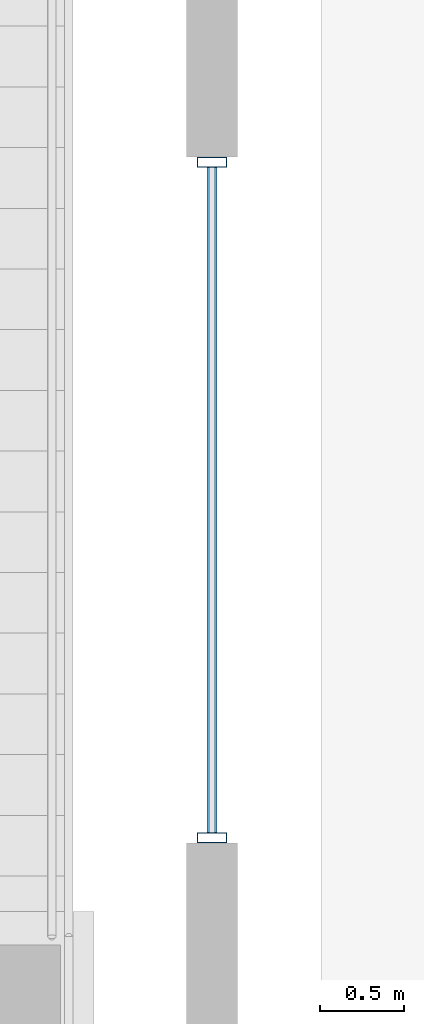
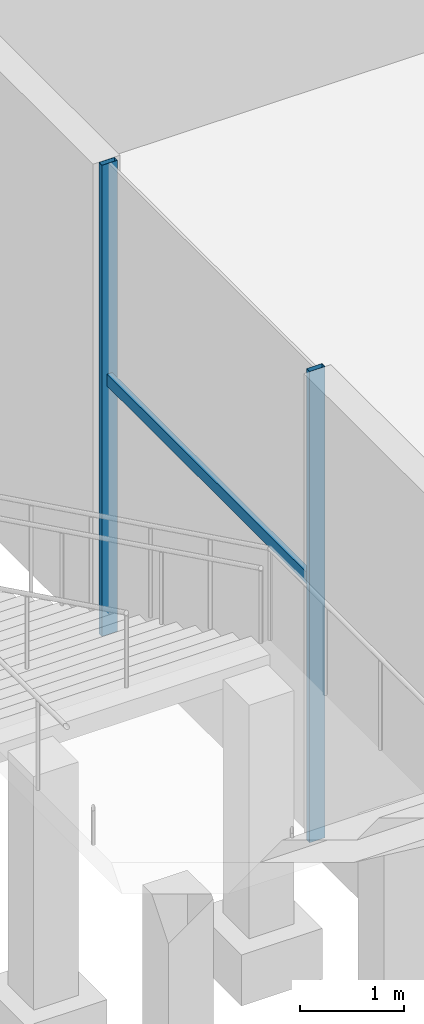
# One storey, part 7 of 68: 3 members, 1 element without a shape of its own.
"""IFC4 building model written with IfcOpenShell, lengths in metres."""

from ifc_helpers import new_model, si_unit, direction, frame, origin, origin_2d, place, context, subcontext, project, spatial, hollow_rectangle, extrude, material, material_profile, profile_set, type_object, element, aggregate, save


model = new_model("IFC4")

# Units and contexts
model_context = context("Model", 3, precision=1e-05, world=origin(), true_north=direction((0.0, 1.0)))
body_context = subcontext(model_context, "Body", "Model", "MODEL_VIEW")
ifc_project = project(units=[si_unit("LENGTHUNIT", "METRE"), si_unit("AREAUNIT", "SQUARE_METRE"), si_unit("VOLUMEUNIT", "CUBIC_METRE"), si_unit("PLANEANGLEUNIT", "RADIAN"), si_unit("MASSUNIT", "GRAM", prefix="KILO")], contexts=[model_context])

# Site, building, storey
site_placement = place(None, origin())
site = spatial("IfcSite", under=ifc_project, at=site_placement, CompositionType="ELEMENT")
building_placement = place(site_placement, origin())
building = spatial("IfcBuilding", under=site, at=building_placement, Name="Altepetl Exchange Towers", CompositionType="ELEMENT")
storey_placement = place(building_placement, origin())
storey = spatial("IfcBuildingStorey", under=building, at=storey_placement, Name="L00 Ground concourse", CompositionType="ELEMENT", Elevation=0.0)

# Curtain wall, members
ifc_material_1 = material(Name="Aluminium 6063-T6 glazing", Category="aluminium")
curtain_wall_type = type_object("IfcCurtainWallType", Name="Podium storefront system", PredefinedType="NOTDEFINED", material=ifc_material_1)
curtain_wall_placement = place(storey_placement, origin())
curtain_wall = element("IfcCurtainWall", 1, at=curtain_wall_placement, inside=storey, type_object=curtain_wall_type, Name="CW5 run", PredefinedType="NOTDEFINED")
ifc_material_2 = material(Name="Aluminium 6063-T6", Category="aluminium")
ifc_material_profile_1 = material_profile(ifc_material_2, hollow_rectangle(XDim=0.06005859375, YDim=0.175048828125, WallThickness=0.0029296875, at=origin_2d()), Name="Mullion 60x175 aluminium")
ifc_profile_set_1 = profile_set([ifc_material_profile_1], Name="Aluminium 6063-T6")
member_type_1 = type_object("IfcMemberType", Name="Mullion 60x175 aluminium", PredefinedType="MULLION", material=ifc_profile_set_1)
member_1_placement = place(storey_placement, frame((0.14990234375, 17.75341796875, 0.0), z_axis=(0.0, 0.0, 1.0), x_axis=(0.0, -1.0, 0.0)))
member_1 = element("IfcMember", 2, at=member_1_placement, type_object=member_type_1, Name="MU4 mullion", PredefinedType="MULLION", context=body_context, shape_type="SweptSolid", body=[
    extrude(hollow_rectangle(XDim=0.06005859375, YDim=0.175048828125, WallThickness=0.0029296875, at=origin_2d()), origin(), (0.0, 0.0, 1.0), 5.550048828125),
])
member_2_placement = place(storey_placement, frame((0.14990234375, 13.74658203125, 0.0), z_axis=(0.0, 0.0, 1.0), x_axis=(0.0, -1.0, 0.0)))
member_2 = element("IfcMember", 3, at=member_2_placement, type_object=member_type_1, Name="MU4 mullion", PredefinedType="MULLION", context=body_context, shape_type="SweptSolid", body=[
    extrude(hollow_rectangle(XDim=0.06005859375, YDim=0.175048828125, WallThickness=0.0029296875, at=origin_2d()), origin(), (0.0, 0.0, 1.0), 5.550048828125),
])
ifc_material_profile_2 = material_profile(ifc_material_2, hollow_rectangle(XDim=0.06005859375, YDim=0.139892578125, WallThickness=0.0029296875, at=origin_2d()), Name="Transom 60x140 aluminium")
ifc_profile_set_2 = profile_set([ifc_material_profile_2], Name="Aluminium 6063-T6")
member_type_2 = type_object("IfcMemberType", Name="Transom 60x140 aluminium", PredefinedType="USERDEFINED", material=ifc_profile_set_2)
member_3_placement = place(storey_placement, frame((0.14990234375, 17.723388671875, 3.0), z_axis=(0.0, -1.0, 0.0), x_axis=(1.0, 0.0, 0.0)))
member_3 = element("IfcMember", 4, at=member_3_placement, type_object=member_type_2, Name="TR3 transom", ObjectType="TRANSOM", PredefinedType="USERDEFINED", context=body_context, shape_type="SweptSolid", body=[
    extrude(hollow_rectangle(XDim=0.06005859375, YDim=0.139892578125, WallThickness=0.0029296875, at=origin_2d()), origin(), (0.0, 0.0, 1.0), 3.94677734375),
])
aggregate(curtain_wall, [member_1, member_2, member_3])

save(model, "model.ifc")
